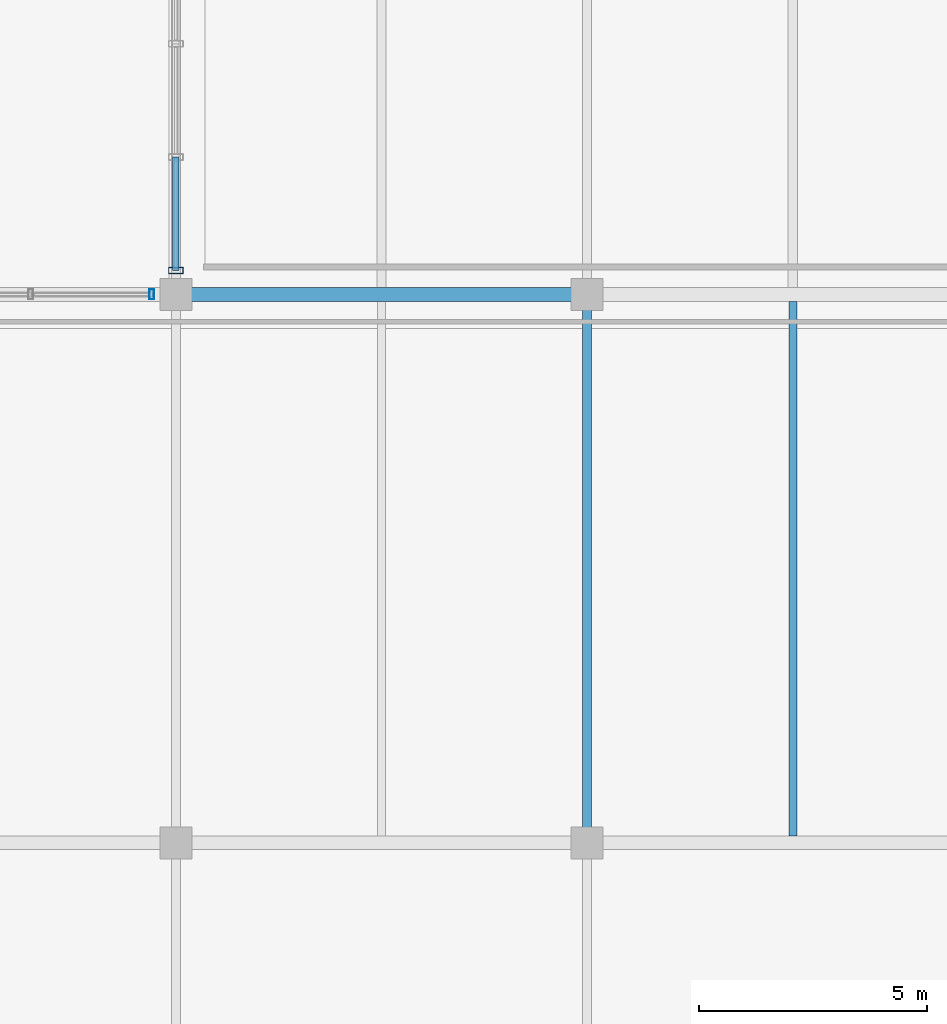
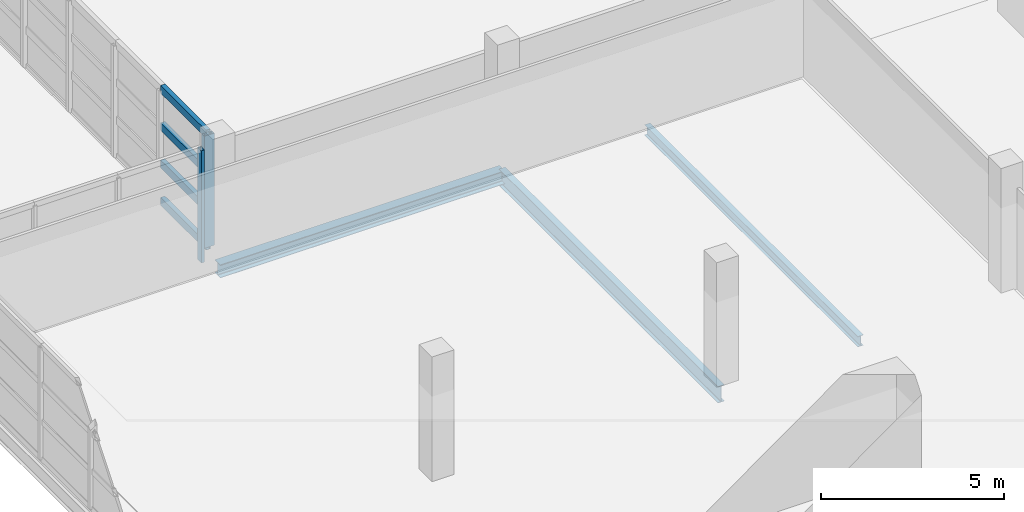
# One storey, part 72 of 136: 6 members, 3 beams, 2 elements without a shape of their own.
"""IFC4 building model written with IfcOpenShell, lengths in metres."""

from ifc_helpers import new_model, si_unit, direction, frame, origin, origin_2d, place, context, subcontext, project, spatial, hollow_rectangle, i_section, extrude, material, material_profile, profile_set, type_object, element, aggregate, save


model = new_model("IFC4")

# Units and contexts
model_context = context("Model", 3, precision=1e-05, world=origin(), true_north=direction((0.0, 1.0)))
body_context = subcontext(model_context, "Body", "Model", "MODEL_VIEW")
ifc_project = project(units=[si_unit("LENGTHUNIT", "METRE"), si_unit("AREAUNIT", "SQUARE_METRE"), si_unit("VOLUMEUNIT", "CUBIC_METRE"), si_unit("PLANEANGLEUNIT", "RADIAN"), si_unit("MASSUNIT", "GRAM", prefix="KILO")], contexts=[model_context])

# Site, building, storey
site_placement = place(None, origin())
site = spatial("IfcSite", under=ifc_project, at=site_placement, CompositionType="ELEMENT")
building_placement = place(site_placement, origin())
building = spatial("IfcBuilding", under=site, at=building_placement, Name="Chuanluo Vaults Station", CompositionType="ELEMENT")
storey_placement = place(building_placement, frame((0.0, 0.0, 6.60009765625)))
storey = spatial("IfcBuildingStorey", under=building, at=storey_placement, Name="L01", CompositionType="ELEMENT", Elevation=6.60009765625)

# Beams
ifc_material_1 = material(Name="Steel Q355C", Category="steel")
ifc_material_profile_1 = material_profile(ifc_material_1, i_section(OverallWidth=0.300048828125, OverallDepth=0.43994140625, WebThickness=0.010986328125, FlangeThickness=0.01806640625, FilletRadius=0.02001953125, at=origin_2d()))
ifc_profile_set_1 = profile_set([ifc_material_profile_1], Name="Steel Q355C")
beam_type_1 = type_object("IfcBeamType", Name="BM-GRD-450", PredefinedType="USERDEFINED", material=ifc_profile_set_1)
beam_1_placement = place(storey_placement, frame((145.0, 54.0, -0.460205078125), z_axis=(1.0, 0.0, 0.0), x_axis=(0.0, 1.0, 0.0)))
element("IfcBeam", 1, at=beam_1_placement, inside=storey, type_object=beam_type_1, Name="Floor girder BM:GX:L01:0329", ObjectType="GIRDER", PredefinedType="USERDEFINED", context=body_context, shape_type="SweptSolid", body=[
    extrude(i_section(OverallWidth=0.300048828125, OverallDepth=0.43994140625, WebThickness=0.010986328125, FlangeThickness=0.01806640625, FilletRadius=0.02001953125, at=origin_2d()), origin(), (0.0, 0.0, 1.0), 9.0),
])
ifc_material_2 = material(Name="Steel Q355C", Category="steel")
ifc_material_profile_2 = material_profile(ifc_material_2, i_section(OverallWidth=0.199951171875, OverallDepth=0.550048828125, WebThickness=0.010009765625, FlangeThickness=0.01611328125, FilletRadius=0.01806640625, at=origin_2d()))
ifc_profile_set_2 = profile_set([ifc_material_profile_2], Name="Steel Q355C")
beam_type_2 = type_object("IfcBeamType", Name="BM-GRD-550", PredefinedType="USERDEFINED", material=ifc_profile_set_2)
beam_2_placement = place(storey_placement, frame((154.0, 42.0, -0.51513671875), z_axis=(0.0, 1.0, 0.0), x_axis=(-1.0, 0.0, 0.0)))
element("IfcBeam", 2, at=beam_2_placement, inside=storey, type_object=beam_type_2, Name="Floor girder BM:GY:L01:0481", ObjectType="GIRDER", PredefinedType="USERDEFINED", context=body_context, shape_type="SweptSolid", body=[
    extrude(i_section(OverallWidth=0.199951171875, OverallDepth=0.550048828125, WebThickness=0.010009765625, FlangeThickness=0.01611328125, FilletRadius=0.01806640625, at=origin_2d()), origin(), (0.0, 0.0, 1.0), 12.0),
])
ifc_material_3 = material(Name="Steel Q355C", Category="steel")
ifc_material_profile_3 = material_profile(ifc_material_3, i_section(OverallWidth=0.175048828125, OverallDepth=0.35009765625, WebThickness=0.007080078125, FlangeThickness=0.010986328125, FilletRadius=0.013916015625, at=origin_2d()))
ifc_profile_set_3 = profile_set([ifc_material_profile_3], Name="Steel Q355C")
beam_type_3 = type_object("IfcBeamType", Name="BM-SEC-350", PredefinedType="JOIST", material=ifc_profile_set_3)
beam_3_placement = place(storey_placement, frame((158.5, 42.155029296875, -0.4150390625), z_axis=(0.0, 1.0, 0.0), x_axis=(-1.0, 0.0, 0.0)))
element("IfcBeam", 3, at=beam_3_placement, inside=storey, type_object=beam_type_3, Name="Composite secondary joist 0169", PredefinedType="JOIST", context=body_context, shape_type="SweptSolid", body=[
    extrude(i_section(OverallWidth=0.175048828125, OverallDepth=0.35009765625, WebThickness=0.007080078125, FlangeThickness=0.010986328125, FilletRadius=0.013916015625, at=origin_2d()), origin(), (0.0, 0.0, 1.0), 11.68994140625),
])

# Curtain wall, member
ifc_material_4 = material(Name="Anodised aluminium 6063-T6", Category="aluminium")
curtain_wall_type_1 = type_object("IfcCurtainWallType", Name="CW-SYS-20", PredefinedType="NOTDEFINED", material=ifc_material_4)
curtain_wall_1_placement = place(storey_placement, origin())
curtain_wall_1 = element("IfcCurtainWall", 4, at=curtain_wall_1_placement, inside=storey, type_object=curtain_wall_type_1, Name="Retail pavilion L01 facade CW", PredefinedType="NOTDEFINED")
ifc_material_5 = material(Name="Anodised aluminium 6063-T6", Category="aluminium")
ifc_material_profile_4 = material_profile(ifc_material_5, hollow_rectangle(XDim=0.10498046875, YDim=0.219970703125, WallThickness=0.006103515625, at=origin_2d()))
ifc_profile_set_4 = profile_set([ifc_material_profile_4], Name="Anodised aluminium 6063-T6")
member_type_1 = type_object("IfcMemberType", Name="CWM-140", PredefinedType="MULLION", material=ifc_profile_set_4)
member_1_placement = place(storey_placement, frame((144.47509765625, 54.0, 0.0), z_axis=(0.0, 0.0, 1.0), x_axis=(1.0, 0.0, 0.0)))
member_1 = element("IfcMember", 5, at=member_1_placement, type_object=member_type_1, Name="Retail pavilion L01 facade CW mullion 4", PredefinedType="MULLION", context=body_context, shape_type="SweptSolid", body=[
    extrude(hollow_rectangle(XDim=0.10498046875, YDim=0.219970703125, WallThickness=0.006103515625, at=origin_2d()), origin(), (0.0, 0.0, 1.0), 3.75),
])
aggregate(curtain_wall_1, [member_1])

# Curtain wall, members
ifc_material_6 = material(Name="Anodised aluminium 6063-T6", Category="aluminium")
curtain_wall_type_2 = type_object("IfcCurtainWallType", Name="CW-SYS-09", PredefinedType="NOTDEFINED", material=ifc_material_6)
curtain_wall_2_placement = place(storey_placement, origin())
curtain_wall_2 = element("IfcCurtainWall", 6, at=curtain_wall_2_placement, inside=storey, type_object=curtain_wall_type_2, Name="Operations L01 facade CW", PredefinedType="NOTDEFINED")
ifc_material_7 = material(Name="Anodised aluminium 6063-T6", Category="aluminium")
ifc_material_profile_5 = material_profile(ifc_material_7, hollow_rectangle(XDim=0.139892578125, YDim=0.320068359375, WallThickness=0.008056640625, at=origin_2d()))
ifc_profile_set_5 = profile_set([ifc_material_profile_5], Name="Anodised aluminium 6063-T6")
member_type_2 = type_object("IfcMemberType", Name="CWM-220", PredefinedType="MULLION", material=ifc_profile_set_5)
member_2_placement = place(storey_placement, frame((145.0, 54.52490234375, 0.0), z_axis=(0.0, 0.0, 1.0), x_axis=(0.0, 1.0, 0.0)))
member_2 = element("IfcMember", 7, at=member_2_placement, type_object=member_type_2, Name="Operations L01 facade CW mullion 1", PredefinedType="MULLION", context=body_context, shape_type="SweptSolid", body=[
    extrude(hollow_rectangle(XDim=0.139892578125, YDim=0.320068359375, WallThickness=0.008056640625, at=origin_2d()), origin(), (0.0, 0.0, 1.0), 3.75),
])
ifc_material_8 = material(Name="Anodised aluminium 6063-T6", Category="aluminium")
ifc_material_profile_6 = material_profile(ifc_material_8, hollow_rectangle(XDim=0.139892578125, YDim=0.260009765625, WallThickness=0.007080078125, at=origin_2d()))
ifc_profile_set_6 = profile_set([ifc_material_profile_6], Name="Anodised aluminium 6063-T6")
member_type_3 = type_object("IfcMemberType", Name="CWT-180", PredefinedType="USERDEFINED", material=ifc_profile_set_6)
member_3_placement = place(storey_placement, frame((145.0, 54.52490234375, 0.0), z_axis=(0.0, 1.0, 0.0), x_axis=(-1.0, 0.0, 0.0)))
member_3 = element("IfcMember", 8, at=member_3_placement, type_object=member_type_3, Name="Operations L01 facade CW transom 1.1", ObjectType="TRANSOM", PredefinedType="USERDEFINED", context=body_context, shape_type="SweptSolid", body=[
    extrude(hollow_rectangle(XDim=0.139892578125, YDim=0.260009765625, WallThickness=0.007080078125, at=origin_2d()), origin(), (0.0, 0.0, 1.0), 2.47998046875),
])
member_4_placement = place(storey_placement, frame((145.0, 54.52490234375, 1.25), z_axis=(0.0, 1.0, 0.0), x_axis=(-1.0, 0.0, 0.0)))
member_4 = element("IfcMember", 9, at=member_4_placement, type_object=member_type_3, Name="Operations L01 facade CW transom 1.2", ObjectType="TRANSOM", PredefinedType="USERDEFINED", context=body_context, shape_type="SweptSolid", body=[
    extrude(hollow_rectangle(XDim=0.139892578125, YDim=0.260009765625, WallThickness=0.007080078125, at=origin_2d()), origin(), (0.0, 0.0, 1.0), 2.47998046875),
])
member_5_placement = place(storey_placement, frame((145.0, 54.52490234375, 2.5), z_axis=(0.0, 1.0, 0.0), x_axis=(-1.0, 0.0, 0.0)))
member_5 = element("IfcMember", 10, at=member_5_placement, type_object=member_type_3, Name="Operations L01 facade CW transom 1.3", ObjectType="TRANSOM", PredefinedType="USERDEFINED", context=body_context, shape_type="SweptSolid", body=[
    extrude(hollow_rectangle(XDim=0.139892578125, YDim=0.260009765625, WallThickness=0.007080078125, at=origin_2d()), origin(), (0.0, 0.0, 1.0), 2.47998046875),
])
member_6_placement = place(storey_placement, frame((145.0, 54.52490234375, 3.75), z_axis=(0.0, 1.0, 0.0), x_axis=(-1.0, 0.0, 0.0)))
member_6 = element("IfcMember", 11, at=member_6_placement, type_object=member_type_3, Name="Operations L01 facade CW transom 1.4", ObjectType="TRANSOM", PredefinedType="USERDEFINED", context=body_context, shape_type="SweptSolid", body=[
    extrude(hollow_rectangle(XDim=0.139892578125, YDim=0.260009765625, WallThickness=0.007080078125, at=origin_2d()), origin(), (0.0, 0.0, 1.0), 2.47998046875),
])
aggregate(curtain_wall_2, [member_2, member_3, member_4, member_5, member_6])

save(model, "model.ifc")
